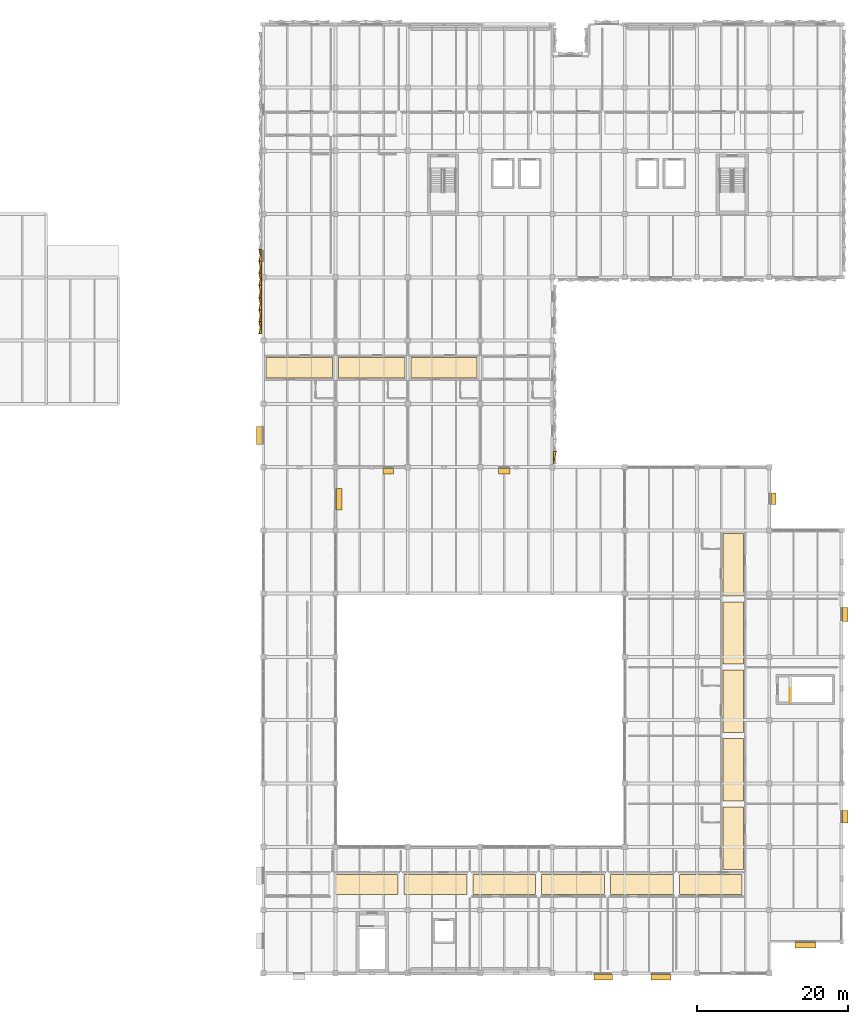
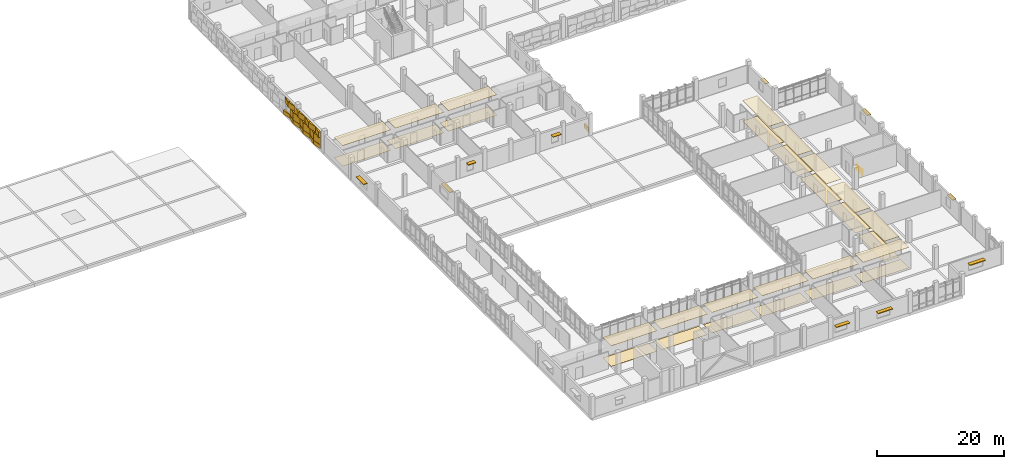
# One storey, part 52 of 57: 49 coverings, 10 shading devices, 1 railing.
"""IFC4 building model written with IfcOpenShell, lengths in metres."""

from ifc_helpers import new_model, si_unit, direction, frame, origin, origin_2d, place, context, subcontext, project, spatial, polyline, rectangle, circle, outline, extrude, material, layer, layer_set, type_object, element, save


model = new_model("IFC4")

# Units and contexts
model_context = context("Model", 3, precision=1e-05, world=origin(), true_north=direction((0.0, 1.0)))
body_context = subcontext(model_context, "Body", "Model", "MODEL_VIEW")
ifc_project = project(units=[si_unit("LENGTHUNIT", "METRE"), si_unit("AREAUNIT", "SQUARE_METRE"), si_unit("VOLUMEUNIT", "CUBIC_METRE"), si_unit("PLANEANGLEUNIT", "RADIAN"), si_unit("MASSUNIT", "GRAM", prefix="KILO")], contexts=[model_context])

# Site, building, storey
site_placement = place(None, origin())
site = spatial("IfcSite", under=ifc_project, at=site_placement, CompositionType="ELEMENT")
building_placement = place(site_placement, origin())
building = spatial("IfcBuilding", under=site, at=building_placement, Name="Oolite Switchyard Hospital", CompositionType="ELEMENT")
storey_placement = place(building_placement, frame((0.0, 0.0, 17.800048828125)))
storey = spatial("IfcBuildingStorey", under=building, at=storey_placement, Name="L04", CompositionType="ELEMENT", Elevation=17.800048828125)

# Coverings
ifc_material_1 = material(Name="Hygienic washable mineral-fibre acoustic ceiling")
ifc_layer_1 = layer(ifc_material_1, 0.0400390625)
ifc_layer_set_1 = layer_set([ifc_layer_1], Name="COV-CEIL-AC60")
covering_type_1 = type_object("IfcCoveringType", Name="COV-CEIL-AC60", PredefinedType="CEILING", material=ifc_layer_set_1)
covering_1_placement = place(storey_placement, frame((0.0, 0.0, 3.925048828125)))
element("IfcCovering", 1, at=covering_1_placement, inside=storey, type_object=covering_type_1, Name="L04 Outpatient Oncology Infusion South Corridor Ceiling 2", PredefinedType="CEILING", context=body_context, shape_type="SweptSolid", body=[
    extrude(outline(polyline([(143.943115234375, 18.85009765625), (152.285888671875, 18.85009765625), (152.285888671875, 21.550048828125), (143.943115234375, 21.550048828125), (143.943115234375, 18.85009765625)])), origin(), (0.0, 0.0, 1.0), 0.039794921875),
])
covering_2_placement = place(storey_placement, frame((0.0, 0.0, 3.925048828125)))
element("IfcCovering", 2, at=covering_2_placement, inside=storey, type_object=covering_type_1, Name="L04 Outpatient Oncology Infusion South Corridor Ceiling 3", PredefinedType="CEILING", context=body_context, shape_type="SweptSolid", body=[
    extrude(outline(polyline([(153.0859375, 18.85009765625), (161.428955078125, 18.85009765625), (161.428955078125, 21.550048828125), (153.0859375, 21.550048828125), (153.0859375, 18.85009765625)])), origin(), (0.0, 0.0, 1.0), 0.039794921875),
])
covering_3_placement = place(storey_placement, frame((0.0, 0.0, 3.925048828125)))
element("IfcCovering", 3, at=covering_3_placement, inside=storey, type_object=covering_type_1, Name="L04 Outpatient Oncology Infusion South Corridor Ceiling 4", PredefinedType="CEILING", context=body_context, shape_type="SweptSolid", body=[
    extrude(outline(polyline([(162.22900390625, 18.85009765625), (170.572021484375, 18.85009765625), (170.572021484375, 21.550048828125), (162.22900390625, 21.550048828125), (162.22900390625, 18.85009765625)])), origin(), (0.0, 0.0, 1.0), 0.039794921875),
])
covering_4_placement = place(storey_placement, frame((0.0, 0.0, 3.925048828125)))
element("IfcCovering", 4, at=covering_4_placement, inside=storey, type_object=covering_type_1, Name="L04 Outpatient Oncology Infusion South Corridor Ceiling 5", PredefinedType="CEILING", context=body_context, shape_type="SweptSolid", body=[
    extrude(outline(polyline([(171.3720703125, 18.85009765625), (179.715087890625, 18.85009765625), (179.715087890625, 21.550048828125), (171.3720703125, 21.550048828125), (171.3720703125, 18.85009765625)])), origin(), (0.0, 0.0, 1.0), 0.039794921875),
])
covering_5_placement = place(storey_placement, frame((0.0, 0.0, 3.925048828125)))
element("IfcCovering", 5, at=covering_5_placement, inside=storey, type_object=covering_type_1, Name="L04 Outpatient Oncology Infusion South Corridor Ceiling 6", PredefinedType="CEILING", context=body_context, shape_type="SweptSolid", body=[
    extrude(outline(polyline([(180.514892578125, 18.85009765625), (188.85791015625, 18.85009765625), (188.85791015625, 21.550048828125), (180.514892578125, 21.550048828125), (180.514892578125, 18.85009765625)])), origin(), (0.0, 0.0, 1.0), 0.039794921875),
])
covering_6_placement = place(storey_placement, frame((0.0, 0.0, 3.925048828125)))
element("IfcCovering", 6, at=covering_6_placement, inside=storey, type_object=covering_type_1, Name="L04 Outpatient Oncology Infusion South Corridor Ceiling 7", PredefinedType="CEILING", context=body_context, shape_type="SweptSolid", body=[
    extrude(outline(polyline([(189.657958984375, 18.85009765625), (198.0009765625, 18.85009765625), (198.0009765625, 21.550048828125), (189.657958984375, 21.550048828125), (189.657958984375, 18.85009765625)])), origin(), (0.0, 0.0, 1.0), 0.039794921875),
])
covering_7_placement = place(storey_placement, frame((0.0, 0.0, 3.925048828125)))
element("IfcCovering", 7, at=covering_7_placement, inside=storey, type_object=covering_type_1, Name="L04 Outpatient Infusion East Corridor Ceiling 1", PredefinedType="CEILING", context=body_context, shape_type="SweptSolid", body=[
    extrude(outline(polyline([(195.449951171875, 22.199951171875), (198.14990234375, 22.199951171875), (198.14990234375, 30.47998046875), (195.449951171875, 30.47998046875), (195.449951171875, 22.199951171875)])), origin(), (0.0, 0.0, 1.0), 0.039794921875),
])
covering_8_placement = place(storey_placement, frame((0.0, 0.0, 3.925048828125)))
element("IfcCovering", 8, at=covering_8_placement, inside=storey, type_object=covering_type_1, Name="L04 Outpatient Infusion East Corridor Ceiling 2", PredefinedType="CEILING", context=body_context, shape_type="SweptSolid", body=[
    extrude(outline(polyline([(195.449951171875, 31.280029296875), (198.14990234375, 31.280029296875), (198.14990234375, 39.56005859375), (195.449951171875, 39.56005859375), (195.449951171875, 31.280029296875)])), origin(), (0.0, 0.0, 1.0), 0.039794921875),
])
covering_9_placement = place(storey_placement, frame((0.0, 0.0, 3.925048828125)))
element("IfcCovering", 9, at=covering_9_placement, inside=storey, type_object=covering_type_1, Name="L04 Outpatient Infusion East Corridor Ceiling 3", PredefinedType="CEILING", context=body_context, shape_type="SweptSolid", body=[
    extrude(outline(polyline([(195.449951171875, 40.360107421875), (198.14990234375, 40.360107421875), (198.14990234375, 48.639892578125), (195.449951171875, 48.639892578125), (195.449951171875, 40.360107421875)])), origin(), (0.0, 0.0, 1.0), 0.039794921875),
])
covering_10_placement = place(storey_placement, frame((0.0, 0.0, 3.925048828125)))
element("IfcCovering", 10, at=covering_10_placement, inside=storey, type_object=covering_type_1, Name="L04 Outpatient Infusion East Corridor Ceiling 4", PredefinedType="CEILING", context=body_context, shape_type="SweptSolid", body=[
    extrude(outline(polyline([(195.449951171875, 49.43994140625), (198.14990234375, 49.43994140625), (198.14990234375, 57.719970703125), (195.449951171875, 57.719970703125), (195.449951171875, 49.43994140625)])), origin(), (0.0, 0.0, 1.0), 0.039794921875),
])
covering_11_placement = place(storey_placement, frame((0.0, 0.0, 3.925048828125)))
element("IfcCovering", 11, at=covering_11_placement, inside=storey, type_object=covering_type_1, Name="L04 Outpatient Infusion East Corridor Ceiling 5", PredefinedType="CEILING", context=body_context, shape_type="SweptSolid", body=[
    extrude(outline(polyline([(195.449951171875, 58.52001953125), (198.14990234375, 58.52001953125), (198.14990234375, 66.800048828125), (195.449951171875, 66.800048828125), (195.449951171875, 58.52001953125)])), origin(), (0.0, 0.0, 1.0), 0.039794921875),
])
covering_12_placement = place(storey_placement, frame((0.0, 0.0, 3.925048828125)))
element("IfcCovering", 12, at=covering_12_placement, inside=storey, type_object=covering_type_1, Name="L04 Hematology Stem-Cell Link Corridor L04 Ceiling 1", PredefinedType="CEILING", context=body_context, shape_type="SweptSolid", body=[
    extrude(outline(polyline([(134.800048828125, 87.449951171875), (143.60009765625, 87.449951171875), (143.60009765625, 90.14990234375), (134.800048828125, 90.14990234375), (134.800048828125, 87.449951171875)])), origin(), (0.0, 0.0, 1.0), 0.039794921875),
])
covering_13_placement = place(storey_placement, frame((0.0, 0.0, 3.925048828125)))
element("IfcCovering", 13, at=covering_13_placement, inside=storey, type_object=covering_type_1, Name="L04 Hematology Stem-Cell Link Corridor L04 Ceiling 2", PredefinedType="CEILING", context=body_context, shape_type="SweptSolid", body=[
    extrude(outline(polyline([(144.39990234375, 87.449951171875), (153.199951171875, 87.449951171875), (153.199951171875, 90.14990234375), (144.39990234375, 90.14990234375), (144.39990234375, 87.449951171875)])), origin(), (0.0, 0.0, 1.0), 0.039794921875),
])
covering_14_placement = place(storey_placement, frame((0.0, 0.0, 3.925048828125)))
element("IfcCovering", 14, at=covering_14_placement, inside=storey, type_object=covering_type_1, Name="L04 Hematology Stem-Cell Link Corridor L04 Ceiling 3", PredefinedType="CEILING", context=body_context, shape_type="SweptSolid", body=[
    extrude(outline(polyline([(154.0, 87.449951171875), (162.800048828125, 87.449951171875), (162.800048828125, 90.14990234375), (154.0, 90.14990234375), (154.0, 87.449951171875)])), origin(), (0.0, 0.0, 1.0), 0.039794921875),
])
ifc_material_2 = material(Name="Precast oolitic limestone architectural concrete C40/50", Category="masonry")
covering_type_2 = type_object("IfcCoveringType", Name="COV-CHEV-COOL", PredefinedType="CLADDING", material=ifc_material_2)
covering_15_placement = place(storey_placement, frame((134.2099609375, 93.320068359375, 0.050048828125), z_axis=(0.0, 0.0, 1.0), x_axis=(0.0, 1.0, 0.0)))
element("IfcCovering", 15, at=covering_15_placement, inside=storey, type_object=covering_type_2, Name="L04 Chevron Precast Oolite Panel 868", PredefinedType="CLADDING", context=body_context, shape_type="SweptSolid", body=[
    extrude(outline(polyline([(0.0, 0.0), (1.599853515625, 0.0), (1.599853515625, 0.385009765625), (0.0, 0.044921875), (0.0, 0.0)])), origin(), (0.0, 0.0, 1.0), 0.760009765625),
])
covering_16_placement = place(storey_placement, frame((134.2099609375, 93.320068359375, 2.2900390625), z_axis=(0.0, 0.0, 1.0), x_axis=(0.0, 1.0, 0.0)))
element("IfcCovering", 16, at=covering_16_placement, inside=storey, type_object=covering_type_2, Name="L04 Chevron Precast Oolite Panel 869", PredefinedType="CLADDING", context=body_context, shape_type="SweptSolid", body=[
    extrude(outline(polyline([(0.0, 0.0), (1.599853515625, 0.0), (1.599853515625, 0.044921875), (0.0, 0.385009765625), (0.0, 0.0)])), origin(), (0.0, 0.0, 1.0), 1.0498046875),
])
covering_17_placement = place(storey_placement, frame((134.2099609375, 93.320068359375, 0.829833984375), z_axis=(0.0, 0.0, 1.0), x_axis=(0.0, 1.0, 0.0)))
element("IfcCovering", 17, at=covering_17_placement, inside=storey, type_object=covering_type_2, Name="L04 Chevron Precast Oolite Panel 870", PredefinedType="CLADDING", context=body_context, shape_type="SweptSolid", body=[
    extrude(outline(polyline([(0.0, 0.0), (1.599853515625, 0.0), (1.599853515625, 0.385009765625), (0.0, 0.044921875), (0.0, 0.0)])), origin(), (0.0, 0.0, 1.0), 1.440185546875),
])
covering_18_placement = place(storey_placement, frame((134.2099609375, 94.919921875, 0.050048828125), z_axis=(0.0, 0.0, 1.0), x_axis=(0.0, 1.0, 0.0)))
element("IfcCovering", 18, at=covering_18_placement, inside=storey, type_object=covering_type_2, Name="L04 Chevron Precast Oolite Panel 871", PredefinedType="CLADDING", context=body_context, shape_type="SweptSolid", body=[
    extrude(outline(polyline([(0.0, 0.0), (1.60009765625, 0.0), (1.60009765625, 0.044921875), (0.0, 0.385009765625), (0.0, 0.0)])), origin(), (0.0, 0.0, 1.0), 0.760009765625),
])
covering_19_placement = place(storey_placement, frame((134.2099609375, 94.919921875, 2.2900390625), z_axis=(0.0, 0.0, 1.0), x_axis=(0.0, 1.0, 0.0)))
element("IfcCovering", 19, at=covering_19_placement, inside=storey, type_object=covering_type_2, Name="L04 Chevron Precast Oolite Panel 872", PredefinedType="CLADDING", context=body_context, shape_type="SweptSolid", body=[
    extrude(outline(polyline([(0.0, 0.0), (1.60009765625, 0.0), (1.60009765625, 0.385009765625), (0.0, 0.044921875), (0.0, 0.0)])), origin(), (0.0, 0.0, 1.0), 1.0498046875),
])
covering_20_placement = place(storey_placement, frame((134.2099609375, 94.919921875, 0.829833984375), z_axis=(0.0, 0.0, 1.0), x_axis=(0.0, 1.0, 0.0)))
element("IfcCovering", 20, at=covering_20_placement, inside=storey, type_object=covering_type_2, Name="L04 Chevron Precast Oolite Panel 873", PredefinedType="CLADDING", context=body_context, shape_type="SweptSolid", body=[
    extrude(outline(polyline([(0.0, 0.0), (1.60009765625, 0.0), (1.60009765625, 0.044921875), (0.0, 0.385009765625), (0.0, 0.0)])), origin(), (0.0, 0.0, 1.0), 1.440185546875),
])
covering_21_placement = place(storey_placement, frame((134.2099609375, 96.52001953125, 0.050048828125), z_axis=(0.0, 0.0, 1.0), x_axis=(0.0, 1.0, 0.0)))
element("IfcCovering", 21, at=covering_21_placement, inside=storey, type_object=covering_type_2, Name="L04 Chevron Precast Oolite Panel 874", PredefinedType="CLADDING", context=body_context, shape_type="SweptSolid", body=[
    extrude(outline(polyline([(0.0, 0.0), (1.60009765625, 0.0), (1.60009765625, 0.385009765625), (0.0, 0.044921875), (0.0, 0.0)])), origin(), (0.0, 0.0, 1.0), 0.760009765625),
])
covering_22_placement = place(storey_placement, frame((134.2099609375, 96.52001953125, 2.2900390625), z_axis=(0.0, 0.0, 1.0), x_axis=(0.0, 1.0, 0.0)))
element("IfcCovering", 22, at=covering_22_placement, inside=storey, type_object=covering_type_2, Name="L04 Chevron Precast Oolite Panel 875", PredefinedType="CLADDING", context=body_context, shape_type="SweptSolid", body=[
    extrude(outline(polyline([(0.0, 0.0), (1.60009765625, 0.0), (1.60009765625, 0.044921875), (0.0, 0.385009765625), (0.0, 0.0)])), origin(), (0.0, 0.0, 1.0), 1.0498046875),
])
covering_23_placement = place(storey_placement, frame((134.2099609375, 96.52001953125, 0.829833984375), z_axis=(0.0, 0.0, 1.0), x_axis=(0.0, 1.0, 0.0)))
element("IfcCovering", 23, at=covering_23_placement, inside=storey, type_object=covering_type_2, Name="L04 Chevron Precast Oolite Panel 876", PredefinedType="CLADDING", context=body_context, shape_type="SweptSolid", body=[
    extrude(outline(polyline([(0.0, 0.0), (1.60009765625, 0.0), (1.60009765625, 0.385009765625), (0.0, 0.044921875), (0.0, 0.0)])), origin(), (0.0, 0.0, 1.0), 1.440185546875),
])
covering_24_placement = place(storey_placement, frame((134.2099609375, 98.1201171875, 0.050048828125), z_axis=(0.0, 0.0, 1.0), x_axis=(0.0, 1.0, 0.0)))
element("IfcCovering", 24, at=covering_24_placement, inside=storey, type_object=covering_type_2, Name="L04 Chevron Precast Oolite Panel 877", PredefinedType="CLADDING", context=body_context, shape_type="SweptSolid", body=[
    extrude(outline(polyline([(0.0, 0.0), (1.599853515625, 0.0), (1.599853515625, 0.044921875), (0.0, 0.385009765625), (0.0, 0.0)])), origin(), (0.0, 0.0, 1.0), 0.760009765625),
])
covering_25_placement = place(storey_placement, frame((134.2099609375, 98.1201171875, 2.2900390625), z_axis=(0.0, 0.0, 1.0), x_axis=(0.0, 1.0, 0.0)))
element("IfcCovering", 25, at=covering_25_placement, inside=storey, type_object=covering_type_2, Name="L04 Chevron Precast Oolite Panel 878", PredefinedType="CLADDING", context=body_context, shape_type="SweptSolid", body=[
    extrude(outline(polyline([(0.0, 0.0), (1.599853515625, 0.0), (1.599853515625, 0.385009765625), (0.0, 0.044921875), (0.0, 0.0)])), origin(), (0.0, 0.0, 1.0), 1.0498046875),
])
covering_26_placement = place(storey_placement, frame((134.2099609375, 98.1201171875, 0.829833984375), z_axis=(0.0, 0.0, 1.0), x_axis=(0.0, 1.0, 0.0)))
element("IfcCovering", 26, at=covering_26_placement, inside=storey, type_object=covering_type_2, Name="L04 Chevron Precast Oolite Panel 879", PredefinedType="CLADDING", context=body_context, shape_type="SweptSolid", body=[
    extrude(outline(polyline([(0.0, 0.0), (1.599853515625, 0.0), (1.599853515625, 0.044921875), (0.0, 0.385009765625), (0.0, 0.0)])), origin(), (0.0, 0.0, 1.0), 1.440185546875),
])
covering_27_placement = place(storey_placement, frame((134.2099609375, 99.719970703125, 0.050048828125), z_axis=(0.0, 0.0, 1.0), x_axis=(0.0, 1.0, 0.0)))
element("IfcCovering", 27, at=covering_27_placement, inside=storey, type_object=covering_type_2, Name="L04 Chevron Precast Oolite Panel 880", PredefinedType="CLADDING", context=body_context, shape_type="SweptSolid", body=[
    extrude(outline(polyline([(0.0, 0.0), (1.60009765625, 0.0), (1.60009765625, 0.385009765625), (0.0, 0.044921875), (0.0, 0.0)])), origin(), (0.0, 0.0, 1.0), 0.760009765625),
])
covering_28_placement = place(storey_placement, frame((134.2099609375, 99.719970703125, 2.2900390625), z_axis=(0.0, 0.0, 1.0), x_axis=(0.0, 1.0, 0.0)))
element("IfcCovering", 28, at=covering_28_placement, inside=storey, type_object=covering_type_2, Name="L04 Chevron Precast Oolite Panel 881", PredefinedType="CLADDING", context=body_context, shape_type="SweptSolid", body=[
    extrude(outline(polyline([(0.0, 0.0), (1.60009765625, 0.0), (1.60009765625, 0.044921875), (0.0, 0.385009765625), (0.0, 0.0)])), origin(), (0.0, 0.0, 1.0), 1.0498046875),
])
covering_29_placement = place(storey_placement, frame((134.2099609375, 99.719970703125, 0.829833984375), z_axis=(0.0, 0.0, 1.0), x_axis=(0.0, 1.0, 0.0)))
element("IfcCovering", 29, at=covering_29_placement, inside=storey, type_object=covering_type_2, Name="L04 Chevron Precast Oolite Panel 882", PredefinedType="CLADDING", context=body_context, shape_type="SweptSolid", body=[
    extrude(outline(polyline([(0.0, 0.0), (1.60009765625, 0.0), (1.60009765625, 0.385009765625), (0.0, 0.044921875), (0.0, 0.0)])), origin(), (0.0, 0.0, 1.0), 1.440185546875),
])
covering_30_placement = place(storey_placement, frame((134.2099609375, 101.320068359375, 0.050048828125), z_axis=(0.0, 0.0, 1.0), x_axis=(0.0, 1.0, 0.0)))
element("IfcCovering", 30, at=covering_30_placement, inside=storey, type_object=covering_type_2, Name="L04 Chevron Precast Oolite Panel 883", PredefinedType="CLADDING", context=body_context, shape_type="SweptSolid", body=[
    extrude(outline(polyline([(0.0, 0.0), (1.599853515625, 0.0), (1.599853515625, 0.044921875), (0.0, 0.385009765625), (0.0, 0.0)])), origin(), (0.0, 0.0, 1.0), 0.760009765625),
])
covering_31_placement = place(storey_placement, frame((134.2099609375, 101.320068359375, 2.2900390625), z_axis=(0.0, 0.0, 1.0), x_axis=(0.0, 1.0, 0.0)))
element("IfcCovering", 31, at=covering_31_placement, inside=storey, type_object=covering_type_2, Name="L04 Chevron Precast Oolite Panel 884", PredefinedType="CLADDING", context=body_context, shape_type="SweptSolid", body=[
    extrude(outline(polyline([(0.0, 0.0), (1.599853515625, 0.0), (1.599853515625, 0.385009765625), (0.0, 0.044921875), (0.0, 0.0)])), origin(), (0.0, 0.0, 1.0), 1.0498046875),
])
covering_32_placement = place(storey_placement, frame((134.2099609375, 101.320068359375, 0.829833984375), z_axis=(0.0, 0.0, 1.0), x_axis=(0.0, 1.0, 0.0)))
element("IfcCovering", 32, at=covering_32_placement, inside=storey, type_object=covering_type_2, Name="L04 Chevron Precast Oolite Panel 885", PredefinedType="CLADDING", context=body_context, shape_type="SweptSolid", body=[
    extrude(outline(polyline([(0.0, 0.0), (1.599853515625, 0.0), (1.599853515625, 0.044921875), (0.0, 0.385009765625), (0.0, 0.0)])), origin(), (0.0, 0.0, 1.0), 1.440185546875),
])
covering_33_placement = place(storey_placement, frame((134.2099609375, 102.919921875, 0.050048828125), z_axis=(0.0, 0.0, 1.0), x_axis=(0.0, 1.0, 0.0)))
element("IfcCovering", 33, at=covering_33_placement, inside=storey, type_object=covering_type_2, Name="L04 Chevron Precast Oolite Panel 886", PredefinedType="CLADDING", context=body_context, shape_type="SweptSolid", body=[
    extrude(outline(polyline([(0.0, 0.0), (1.60009765625, 0.0), (1.60009765625, 0.385009765625), (0.0, 0.044921875), (0.0, 0.0)])), origin(), (0.0, 0.0, 1.0), 0.760009765625),
])
covering_34_placement = place(storey_placement, frame((134.2099609375, 102.919921875, 2.2900390625), z_axis=(0.0, 0.0, 1.0), x_axis=(0.0, 1.0, 0.0)))
element("IfcCovering", 34, at=covering_34_placement, inside=storey, type_object=covering_type_2, Name="L04 Chevron Precast Oolite Panel 887", PredefinedType="CLADDING", context=body_context, shape_type="SweptSolid", body=[
    extrude(outline(polyline([(0.0, 0.0), (1.60009765625, 0.0), (1.60009765625, 0.044921875), (0.0, 0.385009765625), (0.0, 0.0)])), origin(), (0.0, 0.0, 1.0), 1.0498046875),
])
covering_35_placement = place(storey_placement, frame((172.93994140625, 77.679931640625, 0.050048828125), z_axis=(0.0, 0.0, 1.0), x_axis=(0.0, -1.0, 0.0)))
element("IfcCovering", 35, at=covering_35_placement, inside=storey, type_object=covering_type_2, Name="L04 Chevron Precast Oolite Panel 964", PredefinedType="CLADDING", context=body_context, shape_type="SweptSolid", body=[
    extrude(outline(polyline([(0.0, 0.0), (1.599853515625, 0.0), (1.599853515625, 0.044921875), (0.0, 0.385009765625), (0.0, 0.0)])), origin(), (0.0, 0.0, 1.0), 0.760009765625),
])
ifc_material_3 = material(Name="Epoxy terrazzo seamless clinical flooring")
ifc_layer_2 = layer(ifc_material_3, 0.02001953125)
ifc_layer_set_2 = layer_set([ifc_layer_2], Name="COV-FLR-TER20")
covering_type_3 = type_object("IfcCoveringType", Name="COV-FLR-TER20", PredefinedType="FLOORING", material=ifc_layer_set_2)
covering_36_placement = place(storey_placement, origin())
element("IfcCovering", 36, at=covering_36_placement, inside=storey, type_object=covering_type_3, Name="L04 Outpatient Oncology Infusion South Corridor Flooring 2", PredefinedType="FLOORING", context=body_context, shape_type="SweptSolid", body=[
    extrude(outline(polyline([(143.943115234375, 18.85009765625), (152.285888671875, 18.85009765625), (152.285888671875, 21.550048828125), (143.943115234375, 21.550048828125), (143.943115234375, 18.85009765625)])), origin(), (0.0, 0.0, 1.0), 0.02001953125),
])
covering_37_placement = place(storey_placement, origin())
element("IfcCovering", 37, at=covering_37_placement, inside=storey, type_object=covering_type_3, Name="L04 Outpatient Oncology Infusion South Corridor Flooring 3", PredefinedType="FLOORING", context=body_context, shape_type="SweptSolid", body=[
    extrude(outline(polyline([(153.0859375, 18.85009765625), (161.428955078125, 18.85009765625), (161.428955078125, 21.550048828125), (153.0859375, 21.550048828125), (153.0859375, 18.85009765625)])), origin(), (0.0, 0.0, 1.0), 0.02001953125),
])
covering_38_placement = place(storey_placement, origin())
element("IfcCovering", 38, at=covering_38_placement, inside=storey, type_object=covering_type_3, Name="L04 Outpatient Oncology Infusion South Corridor Flooring 4", PredefinedType="FLOORING", context=body_context, shape_type="SweptSolid", body=[
    extrude(outline(polyline([(162.22900390625, 18.85009765625), (170.572021484375, 18.85009765625), (170.572021484375, 21.550048828125), (162.22900390625, 21.550048828125), (162.22900390625, 18.85009765625)])), origin(), (0.0, 0.0, 1.0), 0.02001953125),
])
covering_39_placement = place(storey_placement, origin())
element("IfcCovering", 39, at=covering_39_placement, inside=storey, type_object=covering_type_3, Name="L04 Outpatient Oncology Infusion South Corridor Flooring 5", PredefinedType="FLOORING", context=body_context, shape_type="SweptSolid", body=[
    extrude(outline(polyline([(171.3720703125, 18.85009765625), (179.715087890625, 18.85009765625), (179.715087890625, 21.550048828125), (171.3720703125, 21.550048828125), (171.3720703125, 18.85009765625)])), origin(), (0.0, 0.0, 1.0), 0.02001953125),
])
covering_40_placement = place(storey_placement, origin())
element("IfcCovering", 40, at=covering_40_placement, inside=storey, type_object=covering_type_3, Name="L04 Outpatient Oncology Infusion South Corridor Flooring 6", PredefinedType="FLOORING", context=body_context, shape_type="SweptSolid", body=[
    extrude(outline(polyline([(180.514892578125, 18.85009765625), (188.85791015625, 18.85009765625), (188.85791015625, 21.550048828125), (180.514892578125, 21.550048828125), (180.514892578125, 18.85009765625)])), origin(), (0.0, 0.0, 1.0), 0.02001953125),
])
covering_41_placement = place(storey_placement, origin())
element("IfcCovering", 41, at=covering_41_placement, inside=storey, type_object=covering_type_3, Name="L04 Outpatient Oncology Infusion South Corridor Flooring 7", PredefinedType="FLOORING", context=body_context, shape_type="SweptSolid", body=[
    extrude(outline(polyline([(189.657958984375, 18.85009765625), (198.0009765625, 18.85009765625), (198.0009765625, 21.550048828125), (189.657958984375, 21.550048828125), (189.657958984375, 18.85009765625)])), origin(), (0.0, 0.0, 1.0), 0.02001953125),
])
covering_42_placement = place(storey_placement, origin())
element("IfcCovering", 42, at=covering_42_placement, inside=storey, type_object=covering_type_3, Name="L04 Outpatient Infusion East Corridor Flooring 1", PredefinedType="FLOORING", context=body_context, shape_type="SweptSolid", body=[
    extrude(outline(polyline([(195.449951171875, 22.199951171875), (198.14990234375, 22.199951171875), (198.14990234375, 30.47998046875), (195.449951171875, 30.47998046875), (195.449951171875, 22.199951171875)])), origin(), (0.0, 0.0, 1.0), 0.02001953125),
])
covering_43_placement = place(storey_placement, origin())
element("IfcCovering", 43, at=covering_43_placement, inside=storey, type_object=covering_type_3, Name="L04 Outpatient Infusion East Corridor Flooring 2", PredefinedType="FLOORING", context=body_context, shape_type="SweptSolid", body=[
    extrude(outline(polyline([(195.449951171875, 31.280029296875), (198.14990234375, 31.280029296875), (198.14990234375, 39.56005859375), (195.449951171875, 39.56005859375), (195.449951171875, 31.280029296875)])), origin(), (0.0, 0.0, 1.0), 0.02001953125),
])
covering_44_placement = place(storey_placement, origin())
element("IfcCovering", 44, at=covering_44_placement, inside=storey, type_object=covering_type_3, Name="L04 Outpatient Infusion East Corridor Flooring 3", PredefinedType="FLOORING", context=body_context, shape_type="SweptSolid", body=[
    extrude(outline(polyline([(195.449951171875, 40.360107421875), (198.14990234375, 40.360107421875), (198.14990234375, 48.639892578125), (195.449951171875, 48.639892578125), (195.449951171875, 40.360107421875)])), origin(), (0.0, 0.0, 1.0), 0.02001953125),
])
covering_45_placement = place(storey_placement, origin())
element("IfcCovering", 45, at=covering_45_placement, inside=storey, type_object=covering_type_3, Name="L04 Outpatient Infusion East Corridor Flooring 4", PredefinedType="FLOORING", context=body_context, shape_type="SweptSolid", body=[
    extrude(outline(polyline([(195.449951171875, 49.43994140625), (198.14990234375, 49.43994140625), (198.14990234375, 57.719970703125), (195.449951171875, 57.719970703125), (195.449951171875, 49.43994140625)])), origin(), (0.0, 0.0, 1.0), 0.02001953125),
])
covering_46_placement = place(storey_placement, origin())
element("IfcCovering", 46, at=covering_46_placement, inside=storey, type_object=covering_type_3, Name="L04 Outpatient Infusion East Corridor Flooring 5", PredefinedType="FLOORING", context=body_context, shape_type="SweptSolid", body=[
    extrude(outline(polyline([(195.449951171875, 58.52001953125), (198.14990234375, 58.52001953125), (198.14990234375, 66.800048828125), (195.449951171875, 66.800048828125), (195.449951171875, 58.52001953125)])), origin(), (0.0, 0.0, 1.0), 0.02001953125),
])
covering_47_placement = place(storey_placement, origin())
element("IfcCovering", 47, at=covering_47_placement, inside=storey, type_object=covering_type_3, Name="L04 Hematology Stem-Cell Link Corridor L04 Flooring 1", PredefinedType="FLOORING", context=body_context, shape_type="SweptSolid", body=[
    extrude(outline(polyline([(134.800048828125, 87.449951171875), (143.60009765625, 87.449951171875), (143.60009765625, 90.14990234375), (134.800048828125, 90.14990234375), (134.800048828125, 87.449951171875)])), origin(), (0.0, 0.0, 1.0), 0.02001953125),
])
covering_48_placement = place(storey_placement, origin())
element("IfcCovering", 48, at=covering_48_placement, inside=storey, type_object=covering_type_3, Name="L04 Hematology Stem-Cell Link Corridor L04 Flooring 2", PredefinedType="FLOORING", context=body_context, shape_type="SweptSolid", body=[
    extrude(outline(polyline([(144.39990234375, 87.449951171875), (153.199951171875, 87.449951171875), (153.199951171875, 90.14990234375), (144.39990234375, 90.14990234375), (144.39990234375, 87.449951171875)])), origin(), (0.0, 0.0, 1.0), 0.02001953125),
])
covering_49_placement = place(storey_placement, origin())
element("IfcCovering", 49, at=covering_49_placement, inside=storey, type_object=covering_type_3, Name="L04 Hematology Stem-Cell Link Corridor L04 Flooring 3", PredefinedType="FLOORING", context=body_context, shape_type="SweptSolid", body=[
    extrude(outline(polyline([(154.0, 87.449951171875), (162.800048828125, 87.449951171875), (162.800048828125, 90.14990234375), (154.0, 90.14990234375), (154.0, 87.449951171875)])), origin(), (0.0, 0.0, 1.0), 0.02001953125),
])

# Railing
ifc_material_4 = material(Name="Galvanized painted architectural steel handrail", Category="steel")
railing_type = type_object("IfcRailingType", Name="RL-STAIR-GRD", PredefinedType="GUARDRAIL", material=ifc_material_4)
railing_placement = place(storey_placement, frame((204.31005859375, 44.39990234375, 0.0)))
element("IfcRailing", 50, at=railing_placement, inside=storey, type_object=railing_type, Name="L04 ST-06 top well guard 1", PredefinedType="GUARDRAIL", context=body_context, shape_type="SweptSolid", body=[
    extrude(circle(Radius=0.02392578125, at=origin_2d()), frame((0.0, 0.0, 1.076171875), z_axis=(0.0, 1.0, 0.0), x_axis=(-1.0, 0.0, 0.0)), (0.0, 0.0, 1.0), 1.800048828125),
    extrude(circle(Radius=0.015625, at=origin_2d()), frame((0.0, 0.0, 0.550048828125), z_axis=(0.0, 1.0, 0.0), x_axis=(-1.0, 0.0, 0.0)), (0.0, 0.0, 1.0), 1.800048828125),
    extrude(circle(Radius=0.02099609375, at=origin_2d()), origin(), (0.0, 0.0, 1.0), 1.052001953125),
    extrude(circle(Radius=0.02099609375, at=origin_2d()), frame((0.0, 0.89990234375, 0.0)), (0.0, 0.0, 1.0), 1.052001953125),
    extrude(circle(Radius=0.02099609375, at=origin_2d()), frame((0.0, 1.800048828125, 0.0)), (0.0, 0.0, 1.0), 1.052001953125),
])

# Shading devices
ifc_layer_3 = layer(ifc_material_2, 0.1201171875)
ifc_layer_set_3 = layer_set([ifc_layer_3], Name="SHD-BRISE-900")
shading_device_type = type_object("IfcShadingDeviceType", Name="SHD-BRISE-900", PredefinedType="AWNING", material=ifc_layer_set_3)
shading_device_1_placement = place(storey_placement, frame((179.52392578125, 7.8701171875, 2.260009765625), z_axis=(0.0, 0.0, 1.0), x_axis=(1.0, 0.0, 0.0)))
element("IfcShadingDevice", 51, at=shading_device_1_placement, inside=storey, type_object=shading_device_type, Name="L04 Classical Brise-Soleil Sunshade 46", PredefinedType="AWNING", context=body_context, shape_type="SweptSolid", body=[
    extrude(rectangle(XDim=2.43994140625, YDim=0.699951171875, at=origin_2d()), origin(), (0.0, 0.0, 1.0), 0.1201171875),
])
shading_device_2_placement = place(storey_placement, frame((187.199951171875, 7.860107421875, 2.260009765625), z_axis=(0.0, 0.0, 1.0), x_axis=(1.0, 0.0, 0.0)))
element("IfcShadingDevice", 52, at=shading_device_2_placement, inside=storey, type_object=shading_device_type, Name="L04 Classical Brise-Soleil Sunshade 47", PredefinedType="AWNING", context=body_context, shape_type="SweptSolid", body=[
    extrude(rectangle(XDim=2.639892578125, YDim=0.699951171875, at=origin_2d()), origin(), (0.0, 0.0, 1.0), 0.1201171875),
])
shading_device_3_placement = place(storey_placement, frame((206.39990234375, 12.1201171875, 2.260009765625), z_axis=(0.0, 0.0, 1.0), x_axis=(1.0, 0.0, 0.0)))
element("IfcShadingDevice", 53, at=shading_device_3_placement, inside=storey, type_object=shading_device_type, Name="L04 Classical Brise-Soleil Sunshade 48", PredefinedType="AWNING", context=body_context, shape_type="SweptSolid", body=[
    extrude(rectangle(XDim=2.840087890625, YDim=0.699951171875, at=origin_2d()), origin(), (0.0, 0.0, 1.0), 0.1201171875),
])
shading_device_4_placement = place(storey_placement, frame((150.9970703125, 75.070068359375, 2.4599609375), z_axis=(0.0, 0.0, 1.0), x_axis=(1.0, 0.0, 0.0)))
element("IfcShadingDevice", 54, at=shading_device_4_placement, inside=storey, type_object=shading_device_type, Name="L04 Classical Brise-Soleil Sunshade 49", PredefinedType="AWNING", context=body_context, shape_type="SweptSolid", body=[
    extrude(rectangle(XDim=1.389892578125, YDim=0.699951171875, at=origin_2d()), origin(), (0.0, 0.0, 1.0), 0.1201171875),
])
shading_device_5_placement = place(storey_placement, frame((166.422119140625, 75.06005859375, 2.4599609375), z_axis=(0.0, 0.0, 1.0), x_axis=(1.0, 0.0, 0.0)))
element("IfcShadingDevice", 55, at=shading_device_5_placement, inside=storey, type_object=shading_device_type, Name="L04 Classical Brise-Soleil Sunshade 50", PredefinedType="AWNING", context=body_context, shape_type="SweptSolid", body=[
    extrude(rectangle(XDim=1.5400390625, YDim=0.699951171875, at=origin_2d()), origin(), (0.0, 0.0, 1.0), 0.1201171875),
])
shading_device_6_placement = place(storey_placement, frame((133.8701171875, 79.800048828125, 2.260009765625), z_axis=(0.0, 0.0, 1.0), x_axis=(0.0, 1.0, 0.0)))
element("IfcShadingDevice", 56, at=shading_device_6_placement, inside=storey, type_object=shading_device_type, Name="L04 Classical Brise-Soleil Sunshade 53", PredefinedType="AWNING", context=body_context, shape_type="SweptSolid", body=[
    extrude(rectangle(XDim=2.43994140625, YDim=0.699951171875, at=origin_2d()), origin(), (0.0, 0.0, 1.0), 0.1201171875),
])
shading_device_7_placement = place(storey_placement, frame((144.47998046875, 71.320068359375, 2.260009765625), z_axis=(0.0, 0.0, 1.0), x_axis=(0.0, 1.0, 0.0)))
element("IfcShadingDevice", 57, at=shading_device_7_placement, inside=storey, type_object=shading_device_type, Name="L04 Classical Brise-Soleil Sunshade 54", PredefinedType="AWNING", context=body_context, shape_type="SweptSolid", body=[
    extrude(rectangle(XDim=2.840087890625, YDim=0.699951171875, at=origin_2d()), origin(), (0.0, 0.0, 1.0), 0.1201171875),
])
shading_device_8_placement = place(storey_placement, frame((202.139892578125, 71.39990234375, 2.4599609375), z_axis=(0.0, 0.0, 1.0), x_axis=(0.0, 1.0, 0.0)))
element("IfcShadingDevice", 58, at=shading_device_8_placement, inside=storey, type_object=shading_device_type, Name="L04 Classical Brise-Soleil Sunshade 55", PredefinedType="AWNING", context=body_context, shape_type="SweptSolid", body=[
    extrude(rectangle(XDim=1.5400390625, YDim=0.699951171875, at=origin_2d()), origin(), (0.0, 0.0, 1.0), 0.1201171875),
])
shading_device_9_placement = place(storey_placement, frame((211.679931640625, 29.19091796875, 2.4599609375), z_axis=(0.0, 0.0, 1.0), x_axis=(0.0, 1.0, 0.0)))
element("IfcShadingDevice", 59, at=shading_device_9_placement, inside=storey, type_object=shading_device_type, Name="L04 Classical Brise-Soleil Sunshade 56", PredefinedType="AWNING", context=body_context, shape_type="SweptSolid", body=[
    extrude(rectangle(XDim=1.68994140625, YDim=0.699951171875, at=origin_2d()), origin(), (0.0, 0.0, 1.0), 0.1201171875),
])
shading_device_10_placement = place(storey_placement, frame((211.68994140625, 56.051025390625, 2.4599609375), z_axis=(0.0, 0.0, 1.0), x_axis=(0.0, 1.0, 0.0)))
element("IfcShadingDevice", 60, at=shading_device_10_placement, inside=storey, type_object=shading_device_type, Name="L04 Classical Brise-Soleil Sunshade 57", PredefinedType="AWNING", context=body_context, shape_type="SweptSolid", body=[
    extrude(rectangle(XDim=1.840087890625, YDim=0.699951171875, at=origin_2d()), origin(), (0.0, 0.0, 1.0), 0.1201171875),
])

save(model, "model.ifc")
